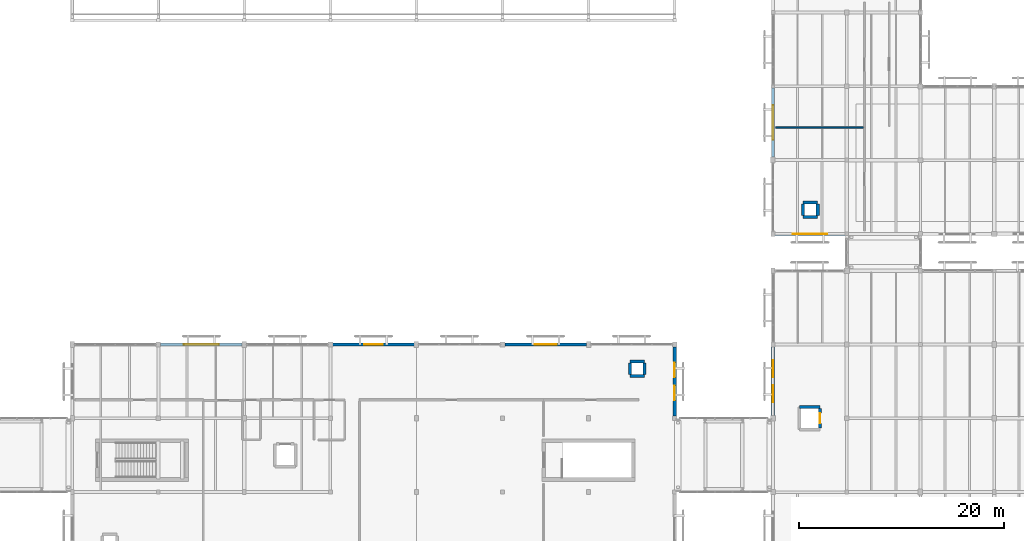
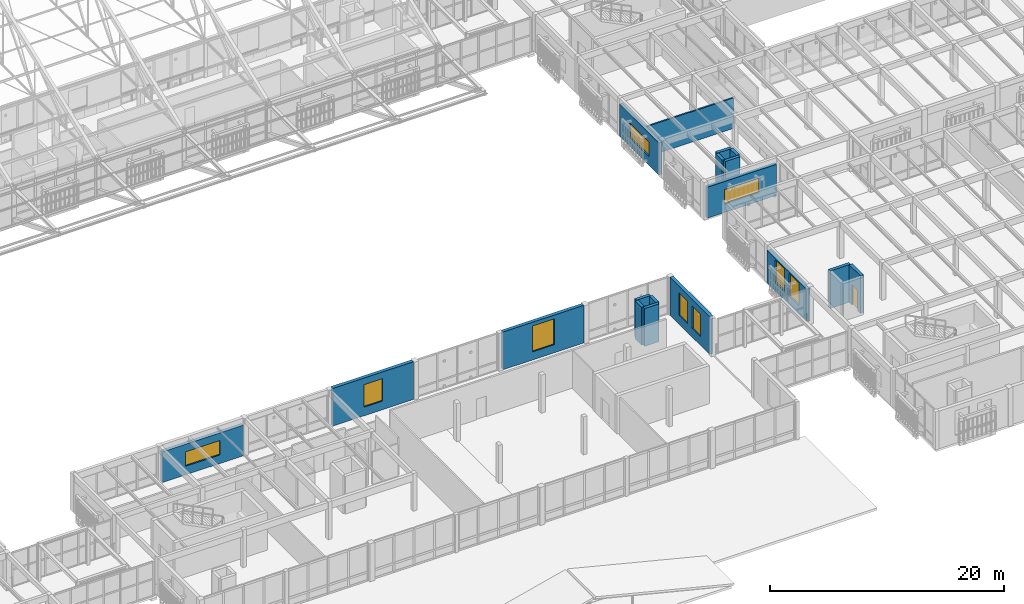
# One storey, part 179 of 217: 18 walls, 9 windows, 1 door, 10 openings.
"""IFC4 building model written with IfcOpenShell, lengths in metres."""

from ifc_helpers import new_model, si_unit, direction, frame, frame_2d, origin, place, context, subcontext, project, spatial, rectangle, extrude, material, layer, layer_set, type_object, element, fill, save


model = new_model("IFC4")

# Units and contexts
model_context = context("Model", 3, precision=1e-05, world=origin(), true_north=direction((0.0, 1.0)))
body_context = subcontext(model_context, "Body", "Model", "MODEL_VIEW")
ifc_project = project(units=[si_unit("LENGTHUNIT", "METRE"), si_unit("AREAUNIT", "SQUARE_METRE"), si_unit("VOLUMEUNIT", "CUBIC_METRE"), si_unit("PLANEANGLEUNIT", "RADIAN"), si_unit("MASSUNIT", "GRAM", prefix="KILO")], contexts=[model_context])

# Site, building, storey
site_placement = place(None, origin())
site = spatial("IfcSite", under=ifc_project, at=site_placement, CompositionType="ELEMENT")
building_placement = place(site_placement, origin())
building = spatial("IfcBuilding", under=site, at=building_placement, Name="Mazaris Harbour Polytechnic", CompositionType="ELEMENT")
storey_placement = place(building_placement, frame((0.0, 0.0, 9.60009765625)))
storey = spatial("IfcBuildingStorey", under=building, at=storey_placement, Name="L02", CompositionType="ELEMENT", Elevation=9.60009765625)

# Wall
ifc_material_1 = material(Name="Double Gypsum and Mineral Wool")
ifc_layer_1 = layer(ifc_material_1, 0.14990234375, Name="Double Gypsum and Mineral Wool")
ifc_layer_set_1 = layer_set([ifc_layer_1], Name="Double Gypsum and Mineral Wool")
wall_type_1 = type_object("IfcWallType", Name="Classroom Acoustic Partition 150", PredefinedType="PARTITIONING", material=ifc_layer_set_1)
wall_1_placement = place(storey_placement, frame((122.64990234375, 57.199951171875, 0.0), z_axis=(0.0, 0.0, 1.0), x_axis=(1.0, 0.0, 0.0)))
element("IfcWall", 1, at=wall_1_placement, inside=storey, type_object=wall_type_1, Name="V5 L02 Partition 603", PredefinedType="PARTITIONING", context=body_context, shape_type="SweptSolid", body=[
    extrude(rectangle(XDim=8.580078125, YDim=0.14990234375, at=frame_2d((4.2900390625, 0.0))), origin(), (0.0, 0.0, 1.0), 3.179931640625),
])

# Wall, opening, window
ifc_material_2 = material(Name="Algerian Buff Limestone and Mineral Wool", Category="masonry")
ifc_layer_2 = layer(ifc_material_2, 0.330078125, Name="Algerian Buff Limestone and Mineral Wool")
ifc_layer_set_2 = layer_set([ifc_layer_2], Name="Algerian Buff Limestone and Mineral Wool")
wall_type_2 = type_object("IfcWallType", Name="Limestone Cavity Wall 330", PredefinedType="STANDARD", material=ifc_layer_set_2)
wall_2_placement = place(storey_placement, frame((62.6220703125, 36.0, 0.0), z_axis=(0.0, 0.0, 1.0), x_axis=(1.0, 0.0, 0.0)))
wall_2 = element("IfcWall", 2, at=wall_2_placement, inside=storey, type_object=wall_type_2, Name="V3 L02 Exterior Wall 117", PredefinedType="STANDARD", context=body_context, shape_type="SweptSolid", body=[
    extrude(rectangle(XDim=7.9658203125, YDim=0.330078125, at=frame_2d((3.98291015625, 0.0))), origin(), (0.0, 0.0, 1.0), 3.19482421875),
])
opening_1_placement = place(wall_2_placement, frame((2.282958984375, 0.0, 0.89990234375)))
opening_1 = element("IfcOpeningElement", 3, at=opening_1_placement, cuts=wall_2, Name="Opening WN-16", PredefinedType="OPENING", context=body_context, shape_type="SweptSolid", body=[
    extrude(rectangle(XDim=3.39990234375, YDim=1.5, at=frame_2d((1.699951171875, 0.75))), frame((0.0, 0.175048828125, 0.0), z_axis=(0.0, -1.0, 0.0), x_axis=(1.0, 0.0, 0.0)), (0.0, 0.0, 1.0), 0.35009765625),
])
ifc_material_3 = material(Name="Thermally Broken Bronze Aluminium and Low-E Glass", Category="aluminium")
window_type_1 = type_object("IfcWindowType", Name="Workshop Clerestory Ribbon 3400x1500", PartitioningType="DOUBLE_PANEL_VERTICAL", PredefinedType="WINDOW", material=ifc_material_3)
window_1_placement = place(opening_1_placement, origin())
window_1 = element("IfcWindow", 4, at=window_1_placement, inside=storey, type_object=window_type_1, Name="WN-0124", OverallHeight=1.5, OverallWidth=3.39990234375, PartitioningType="DOUBLE_PANEL_VERTICAL", PredefinedType="WINDOW", context=body_context, shape_type="SweptSolid", body=[
    extrude(rectangle(XDim=3.39990234375, YDim=1.5, at=frame_2d((1.699951171875, 0.75))), frame((0.0, 0.030029296875, 0.0), z_axis=(0.0, -1.0, 0.0), x_axis=(1.0, 0.0, 0.0)), (0.0, 0.0, 1.0), 0.06005859375),
])
fill(opening_1, window_1)

wall_3_placement = place(storey_placement, frame((79.422119140625, 36.0, 0.0), z_axis=(0.0, 0.0, 1.0), x_axis=(1.0, 0.0, 0.0)))
wall_3 = element("IfcWall", 5, at=wall_3_placement, inside=storey, type_object=wall_type_2, Name="V3 L02 Exterior Wall 118", PredefinedType="STANDARD", context=body_context, shape_type="SweptSolid", body=[
    extrude(rectangle(XDim=7.9658203125, YDim=0.330078125, at=frame_2d((3.98291015625, 0.0))), origin(), (0.0, 0.0, 1.0), 3.934814453125),
])
opening_2_placement = place(wall_3_placement, frame((3.05810546875, 0.0, 0.89990234375)))
opening_2 = element("IfcOpeningElement", 6, at=opening_2_placement, cuts=wall_3, Name="Opening WN-21", PredefinedType="OPENING", context=body_context, shape_type="SweptSolid", body=[
    extrude(rectangle(XDim=1.85009765625, YDim=2.35009765625, at=frame_2d((0.925048828125, 1.175048828125))), frame((0.0, 0.175048828125, 0.0), z_axis=(0.0, -1.0, 0.0), x_axis=(1.0, 0.0, 0.0)), (0.0, 0.0, 1.0), 0.35009765625),
])
ifc_material_4 = material(Name="Thermally Broken Bronze Aluminium and Low-E Glass", Category="aluminium")
window_type_2 = type_object("IfcWindowType", Name="Courtyard Gallery Window 1850x2350", PartitioningType="DOUBLE_PANEL_VERTICAL", PredefinedType="WINDOW", material=ifc_material_4)
window_2_placement = place(opening_2_placement, origin())
window_2 = element("IfcWindow", 7, at=window_2_placement, inside=storey, type_object=window_type_2, Name="WN-0125", OverallHeight=2.35009765625, OverallWidth=1.85009765625, PartitioningType="DOUBLE_PANEL_VERTICAL", PredefinedType="WINDOW", context=body_context, shape_type="SweptSolid", body=[
    extrude(rectangle(XDim=1.85009765625, YDim=2.35009765625, at=frame_2d((0.925048828125, 1.175048828125))), frame((0.0, 0.030029296875, 0.0), z_axis=(0.0, -1.0, 0.0), x_axis=(1.0, 0.0, 0.0)), (0.0, 0.0, 1.0), 0.06005859375),
])
fill(opening_2, window_2)

wall_4_placement = place(storey_placement, frame((96.221923828125, 36.0, 0.0), z_axis=(0.0, 0.0, 1.0), x_axis=(1.0, 0.0, 0.0)))
wall_4 = element("IfcWall", 8, at=wall_4_placement, inside=storey, type_object=wall_type_2, Name="V3 L02 Exterior Wall 119", PredefinedType="STANDARD", context=body_context, shape_type="SweptSolid", body=[
    extrude(rectangle(XDim=7.966064453125, YDim=0.330078125, at=frame_2d((3.98291015625, 0.0))), origin(), (0.0, 0.0, 1.0), 3.934814453125),
])
opening_3_placement = place(wall_4_placement, frame((2.907958984375, 0.0, 0.85009765625)))
opening_3 = element("IfcOpeningElement", 9, at=opening_3_placement, cuts=wall_4, Name="Opening WN-23", PredefinedType="OPENING", context=body_context, shape_type="SweptSolid", body=[
    extrude(rectangle(XDim=2.14990234375, YDim=2.699951171875, at=frame_2d((1.074951171875, 1.35009765625))), frame((0.0, 0.175048828125, 0.0), z_axis=(0.0, -1.0, 0.0), x_axis=(1.0, 0.0, 0.0)), (0.0, 0.0, 1.0), 0.35009765625),
])
ifc_material_5 = material(Name="Thermally Broken Bronze Aluminium and Low-E Glass", Category="aluminium")
window_type_3 = type_object("IfcWindowType", Name="Harbour Promenade Window 2150x2700", PartitioningType="DOUBLE_PANEL_VERTICAL", PredefinedType="WINDOW", material=ifc_material_5)
window_3_placement = place(opening_3_placement, origin())
window_3 = element("IfcWindow", 10, at=window_3_placement, inside=storey, type_object=window_type_3, Name="WN-0126", OverallHeight=2.699951171875, OverallWidth=2.14990234375, PartitioningType="DOUBLE_PANEL_VERTICAL", PredefinedType="WINDOW", context=body_context, shape_type="SweptSolid", body=[
    extrude(rectangle(XDim=2.14990234375, YDim=2.699951171875, at=frame_2d((1.074951171875, 1.35009765625))), frame((0.0, 0.030029296875, 0.0), z_axis=(0.0, -1.0, 0.0), x_axis=(1.0, 0.0, 0.0)), (0.0, 0.0, 1.0), 0.06005859375),
])
fill(opening_3, window_3)

# Wall, openings, windows
wall_5_placement = place(storey_placement, frame((112.800048828125, 35.778076171875, 0.0), z_axis=(0.0, 0.0, 1.0), x_axis=(0.0, -1.0, 0.0)))
wall_5 = element("IfcWall", 11, at=wall_5_placement, inside=storey, type_object=wall_type_2, Name="V3 L02 Exterior Wall 123", PredefinedType="STANDARD", context=body_context, shape_type="SweptSolid", body=[
    extrude(rectangle(XDim=6.776123046875, YDim=0.330078125, at=frame_2d((3.38818359375, 0.0))), origin(), (0.0, 0.0, 1.0), 3.934814453125),
])
opening_4_placement = place(wall_5_placement, frame((1.5380859375, 0.0, 0.89990234375)))
opening_4 = element("IfcOpeningElement", 12, at=opening_4_placement, cuts=wall_5, Name="Opening WN-19", PredefinedType="OPENING", context=body_context, shape_type="SweptSolid", body=[
    extrude(rectangle(XDim=1.449951171875, YDim=2.35009765625, at=frame_2d((0.72509765625, 1.175048828125))), frame((0.0, 0.175048828125, 0.0), z_axis=(0.0, -1.0, 0.0), x_axis=(1.0, 0.0, 0.0)), (0.0, 0.0, 1.0), 0.35009765625),
])
opening_5_placement = place(wall_5_placement, frame((3.7880859375, 0.0, 0.89990234375)))
opening_5 = element("IfcOpeningElement", 13, at=opening_5_placement, cuts=wall_5, Name="Opening WN-19", PredefinedType="OPENING", context=body_context, shape_type="SweptSolid", body=[
    extrude(rectangle(XDim=1.449951171875, YDim=2.35009765625, at=frame_2d((0.72509765625, 1.175048828125))), frame((0.0, 0.175048828125, 0.0), z_axis=(0.0, -1.0, 0.0), x_axis=(1.0, 0.0, 0.0)), (0.0, 0.0, 1.0), 0.35009765625),
])
ifc_material_6 = material(Name="Thermally Broken Bronze Aluminium and Low-E Glass", Category="aluminium")
window_type_4 = type_object("IfcWindowType", Name="Courtyard Gallery Window 1450x2350", PartitioningType="DOUBLE_PANEL_VERTICAL", PredefinedType="WINDOW", material=ifc_material_6)
window_4_placement = place(opening_4_placement, origin())
window_4 = element("IfcWindow", 14, at=window_4_placement, inside=storey, type_object=window_type_4, Name="WN-0130", OverallHeight=2.35009765625, OverallWidth=1.449951171875, PartitioningType="DOUBLE_PANEL_VERTICAL", PredefinedType="WINDOW", context=body_context, shape_type="SweptSolid", body=[
    extrude(rectangle(XDim=1.449951171875, YDim=2.35009765625, at=frame_2d((0.72509765625, 1.175048828125))), frame((0.0, 0.030029296875, 0.0), z_axis=(0.0, -1.0, 0.0), x_axis=(1.0, 0.0, 0.0)), (0.0, 0.0, 1.0), 0.06005859375),
])
fill(opening_4, window_4)
window_5_placement = place(opening_5_placement, origin())
window_5 = element("IfcWindow", 15, at=window_5_placement, inside=storey, type_object=window_type_4, Name="WN-0131", OverallHeight=2.35009765625, OverallWidth=1.449951171875, PartitioningType="DOUBLE_PANEL_VERTICAL", PredefinedType="WINDOW", context=body_context, shape_type="SweptSolid", body=[
    extrude(rectangle(XDim=1.449951171875, YDim=2.35009765625, at=frame_2d((0.72509765625, 1.175048828125))), frame((0.0, 0.030029296875, 0.0), z_axis=(0.0, -1.0, 0.0), x_axis=(1.0, 0.0, 0.0)), (0.0, 0.0, 1.0), 0.06005859375),
])
fill(opening_5, window_5)

# Wall, opening, window
ifc_material_7 = material(Name="Algerian Buff Limestone and Mineral Wool", Category="masonry")
ifc_layer_3 = layer(ifc_material_7, 0.31005859375, Name="Algerian Buff Limestone and Mineral Wool")
ifc_layer_set_3 = layer_set([ifc_layer_3], Name="Algerian Buff Limestone and Mineral Wool")
wall_type_3 = type_object("IfcWallType", Name="Limestone Studio Wall 310", PredefinedType="STANDARD", material=ifc_layer_set_3)
wall_6_placement = place(storey_placement, frame((129.43798828125, 46.800048828125, 0.0), z_axis=(0.0, 0.0, 1.0), x_axis=(-1.0, 0.0, 0.0)))
wall_6 = element("IfcWall", 16, at=wall_6_placement, inside=storey, type_object=wall_type_3, Name="V5 L02 Exterior Wall 333", PredefinedType="STANDARD", context=body_context, shape_type="SweptSolid", body=[
    extrude(rectangle(XDim=6.845947265625, YDim=0.31005859375, at=frame_2d((3.4228515625, 0.0))), origin(), (0.0, 0.0, 1.0), 3.239990234375),
])
opening_6_placement = place(wall_6_placement, frame((1.722900390625, 0.0, 0.89990234375)))
opening_6 = element("IfcOpeningElement", 17, at=opening_6_placement, cuts=wall_6, Name="Opening WN-16", PredefinedType="OPENING", context=body_context, shape_type="SweptSolid", body=[
    extrude(rectangle(XDim=3.39990234375, YDim=1.5, at=frame_2d((1.699951171875, 0.75))), frame((0.0, 0.1650390625, 0.0), z_axis=(0.0, -1.0, 0.0), x_axis=(1.0, 0.0, 0.0)), (0.0, 0.0, 1.0), 0.330078125),
])
window_6_placement = place(opening_6_placement, origin())
window_6 = element("IfcWindow", 18, at=window_6_placement, inside=storey, type_object=window_type_1, Name="WN-0384", OverallHeight=1.5, OverallWidth=3.39990234375, PartitioningType="DOUBLE_PANEL_VERTICAL", PredefinedType="WINDOW", context=body_context, shape_type="SweptSolid", body=[
    extrude(rectangle(XDim=3.39990234375, YDim=1.5, at=frame_2d((1.699951171875, 0.75))), frame((0.0, 0.030029296875, 0.0), z_axis=(0.0, -1.0, 0.0), x_axis=(1.0, 0.0, 0.0)), (0.0, 0.0, 1.0), 0.06005859375),
])
fill(opening_6, window_6)

wall_7_placement = place(storey_placement, frame((122.39990234375, 54.2919921875, 0.0), z_axis=(0.0, 0.0, 1.0), x_axis=(0.0, 1.0, 0.0)))
wall_7 = element("IfcWall", 19, at=wall_7_placement, inside=storey, type_object=wall_type_3, Name="V5 L02 Exterior Wall 342", PredefinedType="STANDARD", context=body_context, shape_type="SweptSolid", body=[
    extrude(rectangle(XDim=6.74609375, YDim=0.31005859375, at=frame_2d((3.373046875, 0.0))), origin(), (0.0, 0.0, 1.0), 3.33984375),
])
opening_7_placement = place(wall_7_placement, frame((1.673095703125, 0.0, 0.89990234375)))
opening_7 = element("IfcOpeningElement", 20, at=opening_7_placement, cuts=wall_7, Name="Opening WN-16", PredefinedType="OPENING", context=body_context, shape_type="SweptSolid", body=[
    extrude(rectangle(XDim=3.39990234375, YDim=1.5, at=frame_2d((1.699951171875, 0.75))), frame((0.0, 0.1650390625, 0.0), z_axis=(0.0, -1.0, 0.0), x_axis=(1.0, 0.0, 0.0)), (0.0, 0.0, 1.0), 0.330078125),
])
window_7_placement = place(opening_7_placement, origin())
window_7 = element("IfcWindow", 21, at=window_7_placement, inside=storey, type_object=window_type_1, Name="WN-0394", OverallHeight=1.5, OverallWidth=3.39990234375, PartitioningType="DOUBLE_PANEL_VERTICAL", PredefinedType="WINDOW", context=body_context, shape_type="SweptSolid", body=[
    extrude(rectangle(XDim=3.39990234375, YDim=1.5, at=frame_2d((1.699951171875, 0.75))), frame((0.0, 0.030029296875, 0.0), z_axis=(0.0, -1.0, 0.0), x_axis=(1.0, 0.0, 0.0)), (0.0, 0.0, 1.0), 0.06005859375),
])
fill(opening_7, window_7)

# Wall, openings, windows
ifc_material_8 = material(Name="Algerian Buff Limestone and Concrete C30/37", Category="masonry")
ifc_layer_4 = layer(ifc_material_8, 0.344970703125, Name="Algerian Buff Limestone and Concrete C30/37")
ifc_layer_set_4 = layer_set([ifc_layer_4], Name="Algerian Buff Limestone and Concrete C30/37")
wall_type_4 = type_object("IfcWallType", Name="Pavilion Gable Wall 345", PredefinedType="STANDARD", material=ifc_layer_set_4)
wall_8_placement = place(storey_placement, frame((122.39990234375, 29.0419921875, 0.0), z_axis=(0.0, 0.0, 1.0), x_axis=(0.0, 1.0, 0.0)))
wall_8 = element("IfcWall", 22, at=wall_8_placement, inside=storey, type_object=wall_type_4, Name="V2 L02 Exterior Wall 77", PredefinedType="STANDARD", context=body_context, shape_type="SweptSolid", body=[
    extrude(rectangle(XDim=6.72607421875, YDim=0.344970703125, at=frame_2d((3.363037109375, 0.0))), origin(), (0.0, 0.0, 1.0), 3.39990234375),
])
opening_8_placement = place(wall_8_placement, frame((1.31298828125, 0.0, 0.89990234375)))
opening_8 = element("IfcOpeningElement", 23, at=opening_8_placement, cuts=wall_8, Name="Opening WN-20", PredefinedType="OPENING", context=body_context, shape_type="SweptSolid", body=[
    extrude(rectangle(XDim=1.64990234375, YDim=2.35009765625, at=frame_2d((0.824951171875, 1.175048828125))), frame((0.0, 0.182373046875, 0.0), z_axis=(0.0, -1.0, 0.0), x_axis=(1.0, 0.0, 0.0)), (0.0, 0.0, 1.0), 0.364990234375),
])
opening_9_placement = place(wall_8_placement, frame((3.762939453125, 0.0, 0.89990234375)))
opening_9 = element("IfcOpeningElement", 24, at=opening_9_placement, cuts=wall_8, Name="Opening WN-20", PredefinedType="OPENING", context=body_context, shape_type="SweptSolid", body=[
    extrude(rectangle(XDim=1.64990234375, YDim=2.35009765625, at=frame_2d((0.824951171875, 1.175048828125))), frame((0.0, 0.182373046875, 0.0), z_axis=(0.0, -1.0, 0.0), x_axis=(1.0, 0.0, 0.0)), (0.0, 0.0, 1.0), 0.364990234375),
])
ifc_material_9 = material(Name="Thermally Broken Bronze Aluminium and Low-E Glass", Category="aluminium")
window_type_5 = type_object("IfcWindowType", Name="Courtyard Gallery Window 1650x2350", PartitioningType="DOUBLE_PANEL_VERTICAL", PredefinedType="WINDOW", material=ifc_material_9)
window_8_placement = place(opening_8_placement, origin())
window_8 = element("IfcWindow", 25, at=window_8_placement, inside=storey, type_object=window_type_5, Name="WN-0073", OverallHeight=2.35009765625, OverallWidth=1.64990234375, PartitioningType="DOUBLE_PANEL_VERTICAL", PredefinedType="WINDOW", context=body_context, shape_type="SweptSolid", body=[
    extrude(rectangle(XDim=1.64990234375, YDim=2.35009765625, at=frame_2d((0.824951171875, 1.175048828125))), frame((0.0, 0.030029296875, 0.0), z_axis=(0.0, -1.0, 0.0), x_axis=(1.0, 0.0, 0.0)), (0.0, 0.0, 1.0), 0.06005859375),
])
fill(opening_8, window_8)
window_9_placement = place(opening_9_placement, origin())
window_9 = element("IfcWindow", 26, at=window_9_placement, inside=storey, type_object=window_type_5, Name="WN-0074", OverallHeight=2.35009765625, OverallWidth=1.64990234375, PartitioningType="DOUBLE_PANEL_VERTICAL", PredefinedType="WINDOW", context=body_context, shape_type="SweptSolid", body=[
    extrude(rectangle(XDim=1.64990234375, YDim=2.35009765625, at=frame_2d((0.824951171875, 1.175048828125))), frame((0.0, 0.030029296875, 0.0), z_axis=(0.0, -1.0, 0.0), x_axis=(1.0, 0.0, 0.0)), (0.0, 0.0, 1.0), 0.06005859375),
])
fill(opening_9, window_9)

# Walls
ifc_material_10 = material(Name="Concrete C40/50", Category="concrete")
ifc_layer_5 = layer(ifc_material_10, 0.300048828125, Name="Concrete C40/50")
ifc_layer_set_5 = layer_set([ifc_layer_5], Name="Concrete C40/50")
wall_type_5 = type_object("IfcWallType", Name="RC Lift Shaft Wall 300", PredefinedType="SHEAR", material=ifc_layer_set_5)
wall_9_placement = place(storey_placement, frame((108.429931640625, 32.929931640625, 0.0), z_axis=(0.0, 0.0, 1.0), x_axis=(1.0, 0.0, 0.0)))
element("IfcWall", 27, at=wall_9_placement, inside=storey, type_object=wall_type_5, Name="V3 L02 Riser Enclosure Wall 2-1", PredefinedType="SHEAR", context=body_context, shape_type="SweptSolid", body=[
    extrude(rectangle(XDim=1.420166015625, YDim=0.300048828125, at=frame_2d((0.7099609375, 0.0))), origin(), (0.0, 0.0, 1.0), 3.9599609375),
])
wall_10_placement = place(storey_placement, frame((109.85009765625, 33.090087890625, 0.0), z_axis=(0.0, 0.0, 1.0), x_axis=(0.0, 1.0, 0.0)))
element("IfcWall", 28, at=wall_10_placement, inside=storey, type_object=wall_type_5, Name="V3 L02 Riser Enclosure Wall 2-2", PredefinedType="SHEAR", context=body_context, shape_type="SweptSolid", body=[
    extrude(rectangle(XDim=1.099853515625, YDim=0.300048828125, at=frame_2d((0.5498046875, 0.0))), origin(), (0.0, 0.0, 1.0), 3.9599609375),
])
wall_11_placement = place(storey_placement, frame((109.85009765625, 34.35009765625, 0.0), z_axis=(0.0, 0.0, 1.0), x_axis=(-1.0, 0.0, 0.0)))
element("IfcWall", 29, at=wall_11_placement, inside=storey, type_object=wall_type_5, Name="V3 L02 Riser Enclosure Wall 2-3", PredefinedType="SHEAR", context=body_context, shape_type="SweptSolid", body=[
    extrude(rectangle(XDim=1.420166015625, YDim=0.300048828125, at=frame_2d((0.7099609375, 0.0))), origin(), (0.0, 0.0, 1.0), 3.9599609375),
])
wall_12_placement = place(storey_placement, frame((108.429931640625, 34.18994140625, 0.0), z_axis=(0.0, 0.0, 1.0), x_axis=(0.0, -1.0, 0.0)))
element("IfcWall", 30, at=wall_12_placement, inside=storey, type_object=wall_type_5, Name="V3 L02 Riser Enclosure Wall 2-4", PredefinedType="SHEAR", context=body_context, shape_type="SweptSolid", body=[
    extrude(rectangle(XDim=1.099853515625, YDim=0.300048828125, at=frame_2d((0.5498046875, 0.0))), origin(), (0.0, 0.0, 1.0), 3.9599609375),
])
wall_13_placement = place(storey_placement, frame((125.35009765625, 48.449951171875, 0.0), z_axis=(0.0, 0.0, 1.0), x_axis=(1.0, 0.0, 0.0)))
element("IfcWall", 31, at=wall_13_placement, inside=storey, type_object=wall_type_5, Name="V5 L02 Riser Enclosure Wall 1-1", PredefinedType="SHEAR", context=body_context, shape_type="SweptSolid", body=[
    extrude(rectangle(XDim=1.419921875, YDim=0.300048828125, at=frame_2d((0.7099609375, 0.0))), origin(), (0.0, 0.0, 1.0), 3.9599609375),
])
wall_14_placement = place(storey_placement, frame((126.77001953125, 48.610107421875, 0.0), z_axis=(0.0, 0.0, 1.0), x_axis=(0.0, 1.0, 0.0)))
element("IfcWall", 32, at=wall_14_placement, inside=storey, type_object=wall_type_5, Name="V5 L02 Riser Enclosure Wall 1-2", PredefinedType="SHEAR", context=body_context, shape_type="SweptSolid", body=[
    extrude(rectangle(XDim=1.099853515625, YDim=0.300048828125, at=frame_2d((0.5498046875, 0.0))), origin(), (0.0, 0.0, 1.0), 3.9599609375),
])
wall_15_placement = place(storey_placement, frame((126.77001953125, 49.8701171875, 0.0), z_axis=(0.0, 0.0, 1.0), x_axis=(-1.0, 0.0, 0.0)))
element("IfcWall", 33, at=wall_15_placement, inside=storey, type_object=wall_type_5, Name="V5 L02 Riser Enclosure Wall 1-3", PredefinedType="SHEAR", context=body_context, shape_type="SweptSolid", body=[
    extrude(rectangle(XDim=1.419921875, YDim=0.300048828125, at=frame_2d((0.7099609375, 0.0))), origin(), (0.0, 0.0, 1.0), 3.9599609375),
])
wall_16_placement = place(storey_placement, frame((125.35009765625, 49.7099609375, 0.0), z_axis=(0.0, 0.0, 1.0), x_axis=(0.0, -1.0, 0.0)))
element("IfcWall", 34, at=wall_16_placement, inside=storey, type_object=wall_type_5, Name="V5 L02 Riser Enclosure Wall 1-4", PredefinedType="SHEAR", context=body_context, shape_type="SweptSolid", body=[
    extrude(rectangle(XDim=1.099853515625, YDim=0.300048828125, at=frame_2d((0.5498046875, 0.0))), origin(), (0.0, 0.0, 1.0), 3.9599609375),
])
wall_17_placement = place(storey_placement, frame((127.0, 29.89990234375, 0.0), z_axis=(0.0, 0.0, 1.0), x_axis=(-1.0, 0.0, 0.0)))
element("IfcWall", 35, at=wall_17_placement, inside=storey, type_object=wall_type_5, Name="Lift LP-02 L02 North Shaft Wall", PredefinedType="SHEAR", context=body_context, shape_type="SweptSolid", body=[
    extrude(rectangle(XDim=2.0, YDim=0.300048828125, at=frame_2d((1.0, 0.0))), origin(), (0.0, 0.0, 1.0), 3.919921875),
])

# Wall, opening, door
wall_18_placement = place(storey_placement, frame((127.0, 29.760009765625, 0.0), z_axis=(0.0, 0.0, 1.0), x_axis=(0.0, -1.0, 0.0)))
wall_18 = element("IfcWall", 36, at=wall_18_placement, inside=storey, type_object=wall_type_5, Name="Lift LP-02 L02 Front Shaft Wall", PredefinedType="SHEAR", context=body_context, shape_type="SweptSolid", body=[
    extrude(rectangle(XDim=1.919921875, YDim=0.300048828125, at=frame_2d((0.9599609375, 0.0))), origin(), (0.0, 0.0, 1.0), 3.919921875),
])
opening_10_placement = place(wall_18_placement, frame((0.4599609375, 0.0, 0.0)))
opening_10 = element("IfcOpeningElement", 37, at=opening_10_placement, cuts=wall_18, Name="Opening LD-01", PredefinedType="OPENING", context=body_context, shape_type="SweptSolid", body=[
    extrude(rectangle(XDim=1.0, YDim=2.10009765625, at=frame_2d((0.5, 1.050048828125))), frame((0.0, 0.159912109375, 0.0), z_axis=(0.0, -1.0, 0.0), x_axis=(1.0, 0.0, 0.0)), (0.0, 0.0, 1.0), 0.320068359375),
])
ifc_material_11 = material(Name="Stainless Steel S355", Category="steel")
door_type = type_object("IfcDoorType", Name="Sliding Passenger Lift Landing Door 1000x2100", OperationType="SLIDING_TO_LEFT", PredefinedType="DOOR", material=ifc_material_11)
door_placement = place(opening_10_placement, origin())
door = element("IfcDoor", 38, at=door_placement, inside=storey, type_object=door_type, Name="LD-023", OperationType="SLIDING_TO_LEFT", OverallHeight=2.10009765625, OverallWidth=1.0, PredefinedType="DOOR", context=body_context, shape_type="SweptSolid", body=[
    extrude(rectangle(XDim=1.0, YDim=2.10009765625, at=frame_2d((0.5, 1.050048828125))), frame((0.0, 0.02490234375, 0.0), z_axis=(0.0, -1.0, 0.0), x_axis=(1.0, 0.0, 0.0)), (0.0, 0.0, 1.0), 0.050048828125),
])
fill(opening_10, door)

save(model, "model.ifc")
